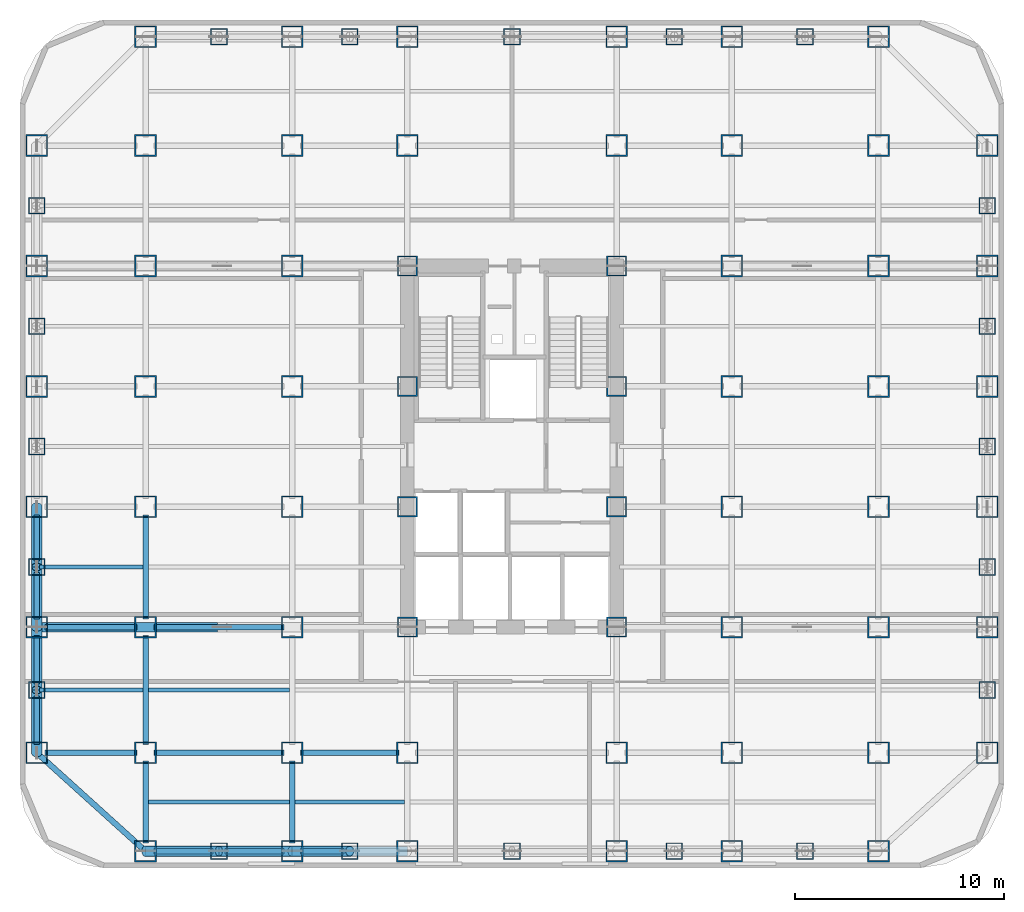
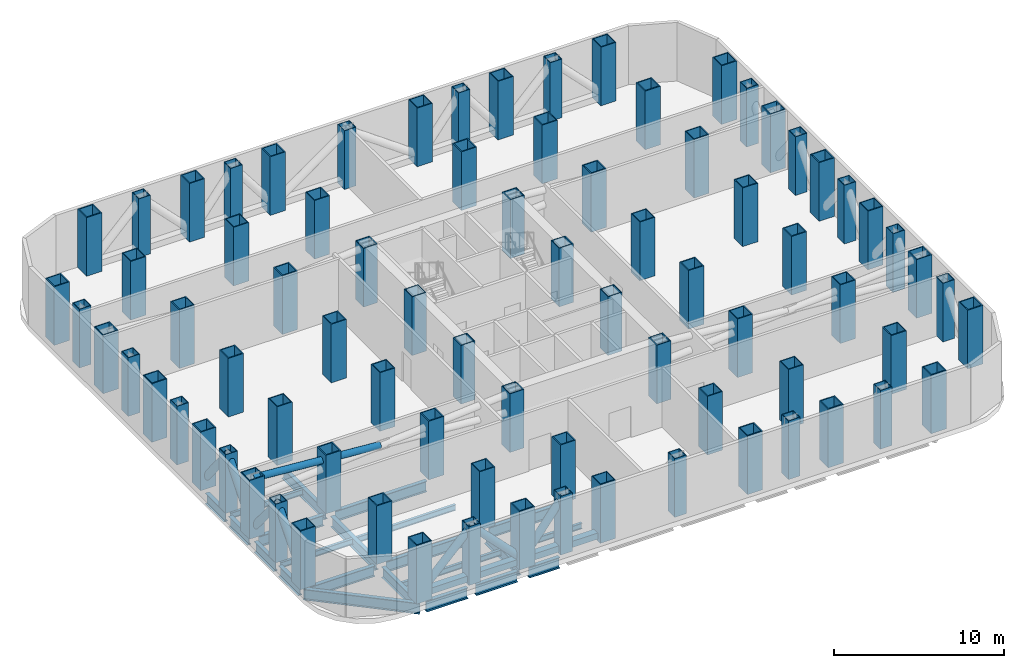
# One storey, part 1 of 10: 80 columns, 22 beams, 10 members.
"""IFC4 building model written with IfcOpenShell, lengths in metres."""

from ifc_helpers import new_model, si_unit, direction, frame, origin, origin_2d, place, context, subcontext, project, spatial, hollow_rectangle, hollow_circle, i_section, extrude, source, transform, mapped, material, material_profile, profile_set, type_object, element, save


model = new_model("IFC4")

# Units and contexts
model_context = context("Model", 3, precision=1e-05, world=origin(), true_north=direction((0.0, 1.0)))
body_context = subcontext(model_context, "Body", "Model", "MODEL_VIEW")
ifc_project = project(units=[si_unit("LENGTHUNIT", "METRE"), si_unit("AREAUNIT", "SQUARE_METRE"), si_unit("VOLUMEUNIT", "CUBIC_METRE"), si_unit("PLANEANGLEUNIT", "RADIAN"), si_unit("MASSUNIT", "GRAM", prefix="KILO")], contexts=[model_context])

# Site, building, storey
site_placement = place(None, origin())
site = spatial("IfcSite", under=ifc_project, at=site_placement, CompositionType="ELEMENT")
building_placement = place(site_placement, origin())
building = spatial("IfcBuilding", under=site, at=building_placement, Name="Kolveth Station Tower", CompositionType="ELEMENT")
storey_placement = place(building_placement, frame((0.0, 0.0, 76.5)))
storey = spatial("IfcBuildingStorey", under=building, at=storey_placement, Name="L20", CompositionType="ELEMENT", Elevation=76.5)

# Columns
ifc_material_1 = material(Name="Steel S460", Category="steel")
ifc_material_profile_1 = material_profile(ifc_material_1, hollow_rectangle(XDim=1.0400390625, YDim=1.0400390625, WallThickness=0.06494140625, at=origin_2d()), Name="BOX1040x1040x65")
ifc_profile_set_1 = profile_set([ifc_material_profile_1], Name="Steel S460")
column_type_1 = type_object("IfcColumnType", Name="Col_C2", PredefinedType="COLUMN", material=ifc_profile_set_1)
shared_shape_1 = source(origin(), body_context, "Body", "SweptSolid", [
    extrude(hollow_rectangle(XDim=1.0400390625, YDim=1.0400390625, WallThickness=0.06494140625, at=origin_2d()), origin(), (0.0, 0.0, 1.0), 4.219970703125),
])
for number, where, z_axis, x_axis, name in (
    (1, (6.0, 0.800048828125, 0.0), (0.0, 0.0, 1.0), (1.0, 0.0, 0.0), "L20 Tower Column S-X60"),
    (2, (6.0, 39.699951171875, 0.0), (0.0, 0.0, 1.0), (1.0, 0.0, 0.0), "L20 Tower Column N-X60"),
    (3, (13.0, 0.800048828125, 0.0), (0.0, 0.0, 1.0), (1.0, 0.0, 0.0), "L20 Tower Column S-X130"),
    (4, (13.0, 39.699951171875, 0.0), (0.0, 0.0, 1.0), (1.0, 0.0, 0.0), "L20 Tower Column N-X130"),
    (5, (18.5, 0.800048828125, 0.0), (0.0, 0.0, 1.0), (1.0, 0.0, 0.0), "L20 Tower Column S-X185"),
    (6, (18.5, 39.699951171875, 0.0), (0.0, 0.0, 1.0), (1.0, 0.0, 0.0), "L20 Tower Column N-X185"),
    (7, (28.5, 0.800048828125, 0.0), (0.0, 0.0, 1.0), (1.0, 0.0, 0.0), "L20 Tower Column S-X285"),
    (8, (28.5, 39.699951171875, 0.0), (0.0, 0.0, 1.0), (1.0, 0.0, 0.0), "L20 Tower Column N-X285"),
    (9, (34.0, 0.800048828125, 0.0), (0.0, 0.0, 1.0), (1.0, 0.0, 0.0), "L20 Tower Column S-X340"),
    (10, (34.0, 39.699951171875, 0.0), (0.0, 0.0, 1.0), (1.0, 0.0, 0.0), "L20 Tower Column N-X340"),
    (11, (41.0, 0.800048828125, 0.0), (0.0, 0.0, 1.0), (1.0, 0.0, 0.0), "L20 Tower Column S-X410"),
    (12, (41.0, 39.699951171875, 0.0), (0.0, 0.0, 1.0), (1.0, 0.0, 0.0), "L20 Tower Column N-X410"),
    (13, (0.800048828125, 5.5, 0.0), (0.0, 0.0, 1.0), (1.0, 0.0, 0.0), "L20 Tower Column W-Y55"),
    (14, (46.199951171875, 5.5, 0.0), (0.0, 0.0, 1.0), (1.0, 0.0, 0.0), "L20 Tower Column E-Y55"),
    (15, (0.800048828125, 11.5, 0.0), (0.0, 0.0, 1.0), (1.0, 0.0, 0.0), "L20 Tower Column W-Y115"),
    (16, (46.199951171875, 11.5, 0.0), (0.0, 0.0, 1.0), (1.0, 0.0, 0.0), "L20 Tower Column E-Y115"),
    (17, (0.800048828125, 17.25, 0.0), (0.0, 0.0, 1.0), (1.0, 0.0, 0.0), "L20 Tower Column W-Y172"),
    (18, (46.199951171875, 17.25, 0.0), (0.0, 0.0, 1.0), (1.0, 0.0, 0.0), "L20 Tower Column E-Y172"),
    (19, (0.800048828125, 23.0, 0.0), (0.0, 0.0, 1.0), (1.0, 0.0, 0.0), "L20 Tower Column W-Y230"),
    (20, (46.199951171875, 23.0, 0.0), (0.0, 0.0, 1.0), (1.0, 0.0, 0.0), "L20 Tower Column E-Y230"),
    (21, (0.800048828125, 28.75, 0.0), (0.0, 0.0, 1.0), (1.0, 0.0, 0.0), "L20 Tower Column W-Y287"),
    (22, (46.199951171875, 28.75, 0.0), (0.0, 0.0, 1.0), (1.0, 0.0, 0.0), "L20 Tower Column E-Y287"),
    (23, (0.800048828125, 34.5, 0.0), (0.0, 0.0, 1.0), (1.0, 0.0, 0.0), "L20 Tower Column W-Y345"),
    (24, (46.199951171875, 34.5, 0.0), (0.0, 0.0, 1.0), (1.0, 0.0, 0.0), "L20 Tower Column E-Y345"),
    (25, (6.0, 5.5, 0.0), (0.0, 0.0, 1.0), (1.0, 0.0, 0.0), "L20 Tower Column G-60-55"),
    (26, (6.0, 11.5, 0.0), (0.0, 0.0, 1.0), (1.0, 0.0, 0.0), "L20 Tower Column G-60-115"),
    (27, (6.0, 17.25, 0.0), (0.0, 0.0, 1.0), (1.0, 0.0, 0.0), "L20 Tower Column G-60-172"),
    (28, (6.0, 23.0, 0.0), (0.0, 0.0, 1.0), (1.0, 0.0, 0.0), "L20 Tower Column G-60-230"),
    (29, (6.0, 28.75, 0.0), (0.0, 0.0, 1.0), (1.0, 0.0, 0.0), "L20 Tower Column G-60-287"),
    (30, (6.0, 34.5, 0.0), (0.0, 0.0, 1.0), (1.0, 0.0, 0.0), "L20 Tower Column G-60-345"),
    (31, (13.0, 5.5, 0.0), (0.0, 0.0, 1.0), (1.0, 0.0, 0.0), "L20 Tower Column G-130-55"),
    (32, (13.0, 11.5, 0.0), (0.0, 0.0, 1.0), (1.0, 0.0, 0.0), "L20 Tower Column G-130-115"),
    (33, (13.0, 17.25, 0.0), (0.0, 0.0, 1.0), (1.0, 0.0, 0.0), "L20 Tower Column G-130-172"),
    (34, (13.0, 23.0, 0.0), (0.0, 0.0, 1.0), (1.0, 0.0, 0.0), "L20 Tower Column G-130-230"),
    (35, (13.0, 28.75, 0.0), (0.0, 0.0, 1.0), (1.0, 0.0, 0.0), "L20 Tower Column G-130-287"),
    (36, (13.0, 34.5, 0.0), (0.0, 0.0, 1.0), (1.0, 0.0, 0.0), "L20 Tower Column G-130-345"),
    (37, (18.5, 5.5, 0.0), (0.0, 0.0, 1.0), (1.0, 0.0, 0.0), "L20 Tower Column G-185-55"),
    (38, (18.5, 34.5, 0.0), (0.0, 0.0, 1.0), (1.0, 0.0, 0.0), "L20 Tower Column G-185-345"),
    (39, (28.5, 5.5, 0.0), (0.0, 0.0, 1.0), (1.0, 0.0, 0.0), "L20 Tower Column G-285-55"),
    (40, (28.5, 34.5, 0.0), (0.0, 0.0, 1.0), (1.0, 0.0, 0.0), "L20 Tower Column G-285-345"),
    (41, (34.0, 5.5, 0.0), (0.0, 0.0, 1.0), (1.0, 0.0, 0.0), "L20 Tower Column G-340-55"),
    (42, (34.0, 11.5, 0.0), (0.0, 0.0, 1.0), (1.0, 0.0, 0.0), "L20 Tower Column G-340-115"),
    (43, (34.0, 17.25, 0.0), (0.0, 0.0, 1.0), (1.0, 0.0, 0.0), "L20 Tower Column G-340-172"),
    (44, (34.0, 23.0, 0.0), (0.0, 0.0, 1.0), (1.0, 0.0, 0.0), "L20 Tower Column G-340-230"),
    (45, (34.0, 28.75, 0.0), (0.0, 0.0, 1.0), (1.0, 0.0, 0.0), "L20 Tower Column G-340-287"),
    (46, (34.0, 34.5, 0.0), (0.0, 0.0, 1.0), (1.0, 0.0, 0.0), "L20 Tower Column G-340-345"),
    (47, (41.0, 5.5, 0.0), (0.0, 0.0, 1.0), (1.0, 0.0, 0.0), "L20 Tower Column G-410-55"),
    (48, (41.0, 11.5, 0.0), (0.0, 0.0, 1.0), (1.0, 0.0, 0.0), "L20 Tower Column G-410-115"),
    (49, (41.0, 17.25, 0.0), (0.0, 0.0, 1.0), (1.0, 0.0, 0.0), "L20 Tower Column G-410-172"),
    (50, (41.0, 23.0, 0.0), (0.0, 0.0, 1.0), (1.0, 0.0, 0.0), "L20 Tower Column G-410-230"),
    (51, (41.0, 28.75, 0.0), (0.0, 0.0, 1.0), (1.0, 0.0, 0.0), "L20 Tower Column G-410-287"),
    (52, (41.0, 34.5, 0.0), (0.0, 0.0, 1.0), (1.0, 0.0, 0.0), "L20 Tower Column G-410-345"),
):
    element("IfcColumn", number, at=place(storey_placement, frame(where, z_axis=z_axis, x_axis=x_axis)), inside=storey, type_object=column_type_1, Name=name, PredefinedType="COLUMN", context=body_context, shape_type="MappedRepresentation", body=[
        mapped(shared_shape_1, transform((0.0, 0.0, 0.0), x_axis=(1.0, 0.0, 0.0), y_axis=(0.0, 1.0, 0.0), z_axis=(0.0, 0.0, 1.0), scale=1.0)),
    ])
ifc_material_profile_2 = material_profile(ifc_material_1, hollow_rectangle(XDim=0.9599609375, YDim=0.9599609375, WallThickness=0.06005859375, at=origin_2d()), Name="BOX960x960x60")
ifc_profile_set_2 = profile_set([ifc_material_profile_2], Name="Steel S460")
column_type_2 = type_object("IfcColumnType", Name="Col_C3", PredefinedType="COLUMN", material=ifc_profile_set_2)
shared_shape_2 = source(origin(), body_context, "Body", "SweptSolid", [
    extrude(hollow_rectangle(XDim=0.9599609375, YDim=0.9599609375, WallThickness=0.06005859375, at=origin_2d()), origin(), (0.0, 0.0, 1.0), 4.219970703125),
])
for number, where, z_axis, x_axis, name in (
    (53, (18.5, 11.5, 0.0), (0.0, 0.0, 1.0), (1.0, 0.0, 0.0), "L20 Tower Column G-185-115"),
    (54, (18.5, 17.25, 0.0), (0.0, 0.0, 1.0), (1.0, 0.0, 0.0), "L20 Tower Column G-185-172"),
    (55, (18.5, 23.0, 0.0), (0.0, 0.0, 1.0), (1.0, 0.0, 0.0), "L20 Tower Column G-185-230"),
    (56, (18.5, 28.75, 0.0), (0.0, 0.0, 1.0), (1.0, 0.0, 0.0), "L20 Tower Column G-185-287"),
    (57, (28.5, 11.5, 0.0), (0.0, 0.0, 1.0), (1.0, 0.0, 0.0), "L20 Tower Column G-285-115"),
    (58, (28.5, 17.25, 0.0), (0.0, 0.0, 1.0), (1.0, 0.0, 0.0), "L20 Tower Column G-285-172"),
    (59, (28.5, 23.0, 0.0), (0.0, 0.0, 1.0), (1.0, 0.0, 0.0), "L20 Tower Column G-285-230"),
    (60, (28.5, 28.75, 0.0), (0.0, 0.0, 1.0), (1.0, 0.0, 0.0), "L20 Tower Column G-285-287"),
):
    element("IfcColumn", number, at=place(storey_placement, frame(where, z_axis=z_axis, x_axis=x_axis)), inside=storey, type_object=column_type_2, Name=name, PredefinedType="COLUMN", context=body_context, shape_type="MappedRepresentation", body=[
        mapped(shared_shape_2, transform((0.0, 0.0, 0.0), x_axis=(1.0, 0.0, 0.0), y_axis=(0.0, 1.0, 0.0), z_axis=(0.0, 0.0, 1.0), scale=1.0)),
    ])
ifc_material_2 = material(Name="Steel S355", Category="steel")
ifc_material_profile_3 = material_profile(ifc_material_2, hollow_rectangle(XDim=0.800048828125, YDim=0.800048828125, WallThickness=0.044921875, at=origin_2d()), Name="BOX800x800x45")
ifc_profile_set_3 = profile_set([ifc_material_profile_3], Name="Steel S355")
column_type_3 = type_object("IfcColumnType", Name="Col_C5", PredefinedType="COLUMN", material=ifc_profile_set_3)
shared_shape_3 = source(origin(), body_context, "Body", "SweptSolid", [
    extrude(hollow_rectangle(XDim=0.800048828125, YDim=0.800048828125, WallThickness=0.044921875, at=origin_2d()), origin(), (0.0, 0.0, 1.0), 4.219970703125),
])
for number, where, z_axis, x_axis, name in (
    (61, (9.5, 0.800048828125, 0.0), (0.0, 0.0, 1.0), (1.0, 0.0, 0.0), "L20 Tower Column MS-X95"),
    (62, (9.5, 39.699951171875, 0.0), (0.0, 0.0, 1.0), (1.0, 0.0, 0.0), "L20 Tower Column MN-X95"),
    (63, (15.75, 0.800048828125, 0.0), (0.0, 0.0, 1.0), (1.0, 0.0, 0.0), "L20 Tower Column MS-X157"),
    (64, (15.75, 39.699951171875, 0.0), (0.0, 0.0, 1.0), (1.0, 0.0, 0.0), "L20 Tower Column MN-X157"),
    (65, (23.5, 0.800048828125, 0.0), (0.0, 0.0, 1.0), (1.0, 0.0, 0.0), "L20 Tower Column MS-X235"),
    (66, (23.5, 39.699951171875, 0.0), (0.0, 0.0, 1.0), (1.0, 0.0, 0.0), "L20 Tower Column MN-X235"),
    (67, (31.25, 0.800048828125, 0.0), (0.0, 0.0, 1.0), (1.0, 0.0, 0.0), "L20 Tower Column MS-X312"),
    (68, (31.25, 39.699951171875, 0.0), (0.0, 0.0, 1.0), (1.0, 0.0, 0.0), "L20 Tower Column MN-X312"),
    (69, (37.5, 0.800048828125, 0.0), (0.0, 0.0, 1.0), (1.0, 0.0, 0.0), "L20 Tower Column MS-X375"),
    (70, (37.5, 39.699951171875, 0.0), (0.0, 0.0, 1.0), (1.0, 0.0, 0.0), "L20 Tower Column MN-X375"),
    (71, (0.800048828125, 8.5, 0.0), (0.0, 0.0, 1.0), (1.0, 0.0, 0.0), "L20 Tower Column MW-Y85"),
    (72, (46.199951171875, 8.5, 0.0), (0.0, 0.0, 1.0), (1.0, 0.0, 0.0), "L20 Tower Column ME-Y85"),
    (73, (0.800048828125, 14.375, 0.0), (0.0, 0.0, 1.0), (1.0, 0.0, 0.0), "L20 Tower Column MW-Y143"),
    (74, (46.199951171875, 14.375, 0.0), (0.0, 0.0, 1.0), (1.0, 0.0, 0.0), "L20 Tower Column ME-Y143"),
    (75, (0.800048828125, 20.125, 0.0), (0.0, 0.0, 1.0), (1.0, 0.0, 0.0), "L20 Tower Column MW-Y201"),
    (76, (46.199951171875, 20.125, 0.0), (0.0, 0.0, 1.0), (1.0, 0.0, 0.0), "L20 Tower Column ME-Y201"),
    (77, (0.800048828125, 25.875, 0.0), (0.0, 0.0, 1.0), (1.0, 0.0, 0.0), "L20 Tower Column MW-Y258"),
    (78, (46.199951171875, 25.875, 0.0), (0.0, 0.0, 1.0), (1.0, 0.0, 0.0), "L20 Tower Column ME-Y258"),
    (79, (0.800048828125, 31.625, 0.0), (0.0, 0.0, 1.0), (1.0, 0.0, 0.0), "L20 Tower Column MW-Y316"),
    (80, (46.199951171875, 31.625, 0.0), (0.0, 0.0, 1.0), (1.0, 0.0, 0.0), "L20 Tower Column ME-Y316"),
):
    element("IfcColumn", number, at=place(storey_placement, frame(where, z_axis=z_axis, x_axis=x_axis)), inside=storey, type_object=column_type_3, Name=name, PredefinedType="COLUMN", context=body_context, shape_type="MappedRepresentation", body=[
        mapped(shared_shape_3, transform((0.0, 0.0, 0.0), x_axis=(1.0, 0.0, 0.0), y_axis=(0.0, 1.0, 0.0), z_axis=(0.0, 0.0, 1.0), scale=1.0)),
    ])

# Beams
ifc_material_profile_4 = material_profile(ifc_material_2, i_section(OverallWidth=0.26904296875, OverallDepth=0.77490234375, WebThickness=0.01708984375, FlangeThickness=0.0283203125, at=origin_2d()), Name="W760x220")
ifc_profile_set_4 = profile_set([ifc_material_profile_4], Name="Steel S355")
beam_type_1 = type_object("IfcBeamType", Name="Beam_SP1", PredefinedType="SPANDREL", material=ifc_profile_set_4)
shared_shape_4 = source(origin(), body_context, "Body", "SweptSolid", [
    extrude(i_section(OverallWidth=0.26904296875, OverallDepth=0.77490234375, WebThickness=0.01708984375, FlangeThickness=0.0283203125, at=origin_2d()), origin(), (0.0, 0.0, 1.0), 7.00927734375),
])
beam_1_placement = place(storey_placement, frame((0.800048828125, 5.5, -0.74755859375), z_axis=(0.741874009795, -0.670539300557, 0.0), x_axis=(0.670539300557, 0.741874009795, 0.0)))
element("IfcBeam", 81, at=beam_1_placement, inside=storey, type_object=beam_type_1, Name="L20 Corner Edge Girder BM-L20-CNR-SW", PredefinedType="SPANDREL", context=body_context, shape_type="MappedRepresentation", body=[
    mapped(shared_shape_4, transform((0.0, 0.0, 0.0), x_axis=(1.0, 0.0, 0.0), y_axis=(0.0, 1.0, 0.0), z_axis=(0.0, 0.0, 1.0), scale=1.0)),
])
shared_shape_5 = source(origin(), body_context, "Body", "SweptSolid", [
    extrude(i_section(OverallWidth=0.26904296875, OverallDepth=0.77490234375, WebThickness=0.01708984375, FlangeThickness=0.0283203125, at=origin_2d()), origin(), (0.0, 0.0, 1.0), 2.820068359375),
])
for number, where, z_axis, x_axis, name in (
    (82, (6.39990234375, 0.800048828125, -0.74755859375), (1.0, 0.0, 0.0), (0.0, 1.0, 0.0), "L20 Perimeter Spandrel BM-L20-PS-1"),
    (83, (9.780029296875, 0.800048828125, -0.74755859375), (1.0, 0.0, 0.0), (0.0, 1.0, 0.0), "L20 Perimeter Spandrel BM-L20-PS-2"),
):
    element("IfcBeam", number, at=place(storey_placement, frame(where, z_axis=z_axis, x_axis=x_axis)), inside=storey, type_object=beam_type_1, Name=name, PredefinedType="SPANDREL", context=body_context, shape_type="MappedRepresentation", body=[
        mapped(shared_shape_5, transform((0.0, 0.0, 0.0), x_axis=(1.0, 0.0, 0.0), y_axis=(0.0, 1.0, 0.0), z_axis=(0.0, 0.0, 1.0), scale=1.0)),
    ])
shared_shape_6 = source(origin(), body_context, "Body", "SweptSolid", [
    extrude(i_section(OverallWidth=0.26904296875, OverallDepth=0.77490234375, WebThickness=0.01708984375, FlangeThickness=0.0283203125, at=origin_2d()), origin(), (0.0, 0.0, 1.0), 2.070068359375),
])
beam_2_placement = place(storey_placement, frame((13.39990234375, 0.800048828125, -0.74755859375), z_axis=(1.0, 0.0, 0.0), x_axis=(0.0, 1.0, 0.0)))
element("IfcBeam", 84, at=beam_2_placement, inside=storey, type_object=beam_type_1, Name="L20 Perimeter Spandrel BM-L20-PS-3", PredefinedType="SPANDREL", context=body_context, shape_type="MappedRepresentation", body=[
    mapped(shared_shape_6, transform((0.0, 0.0, 0.0), x_axis=(1.0, 0.0, 0.0), y_axis=(0.0, 1.0, 0.0), z_axis=(0.0, 0.0, 1.0), scale=1.0)),
])
shared_shape_7 = source(origin(), body_context, "Body", "SweptSolid", [
    extrude(i_section(OverallWidth=0.26904296875, OverallDepth=0.77490234375, WebThickness=0.01708984375, FlangeThickness=0.0283203125, at=origin_2d()), origin(), (0.0, 0.0, 1.0), 2.320068359375),
])
for number, where, z_axis, x_axis, name in (
    (85, (0.800048828125, 5.89990234375, -0.74755859375), (0.0, 1.0, 0.0), (-1.0, 0.0, 0.0), "L20 Perimeter Spandrel BM-L20-PW-1"),
    (86, (0.800048828125, 8.780029296875, -0.74755859375), (0.0, 1.0, 0.0), (-1.0, 0.0, 0.0), "L20 Perimeter Spandrel BM-L20-PW-2"),
):
    element("IfcBeam", number, at=place(storey_placement, frame(where, z_axis=z_axis, x_axis=x_axis)), inside=storey, type_object=beam_type_1, Name=name, PredefinedType="SPANDREL", context=body_context, shape_type="MappedRepresentation", body=[
        mapped(shared_shape_7, transform((0.0, 0.0, 0.0), x_axis=(1.0, 0.0, 0.0), y_axis=(0.0, 1.0, 0.0), z_axis=(0.0, 0.0, 1.0), scale=1.0)),
    ])
shared_shape_8 = source(origin(), body_context, "Body", "SweptSolid", [
    extrude(i_section(OverallWidth=0.26904296875, OverallDepth=0.77490234375, WebThickness=0.01708984375, FlangeThickness=0.0283203125, at=origin_2d()), origin(), (0.0, 0.0, 1.0), 2.2001953125),
])
beam_3_placement = place(storey_placement, frame((0.800048828125, 11.89990234375, -0.74755859375), z_axis=(0.0, 1.0, 0.0), x_axis=(-1.0, 0.0, 0.0)))
element("IfcBeam", 87, at=beam_3_placement, inside=storey, type_object=beam_type_1, Name="L20 Perimeter Spandrel BM-L20-PW-3", PredefinedType="SPANDREL", context=body_context, shape_type="MappedRepresentation", body=[
    mapped(shared_shape_8, transform((0.0, 0.0, 0.0), x_axis=(1.0, 0.0, 0.0), y_axis=(0.0, 1.0, 0.0), z_axis=(0.0, 0.0, 1.0), scale=1.0)),
])
shared_shape_9 = source(origin(), body_context, "Body", "SweptSolid", [
    extrude(i_section(OverallWidth=0.26904296875, OverallDepth=0.77490234375, WebThickness=0.01708984375, FlangeThickness=0.0283203125, at=origin_2d()), origin(), (0.0, 0.0, 1.0), 2.190185546875),
])
beam_4_placement = place(storey_placement, frame((0.800048828125, 14.659912109375, -0.74755859375), z_axis=(0.0, 1.0, 0.0), x_axis=(-1.0, 0.0, 0.0)))
element("IfcBeam", 88, at=beam_4_placement, inside=storey, type_object=beam_type_1, Name="L20 Perimeter Spandrel BM-L20-PW-4", PredefinedType="SPANDREL", context=body_context, shape_type="MappedRepresentation", body=[
    mapped(shared_shape_9, transform((0.0, 0.0, 0.0), x_axis=(1.0, 0.0, 0.0), y_axis=(0.0, 1.0, 0.0), z_axis=(0.0, 0.0, 1.0), scale=1.0)),
])
ifc_material_profile_5 = material_profile(ifc_material_2, i_section(OverallWidth=0.26708984375, OverallDepth=0.76611328125, WebThickness=0.014892578125, FlangeThickness=0.023681640625, at=origin_2d()), Name="W760x185")
ifc_profile_set_5 = profile_set([ifc_material_profile_5], Name="Steel S355")
beam_type_2 = type_object("IfcBeamType", Name="Beam_B3", PredefinedType="BEAM", material=ifc_profile_set_5)
shared_shape_10 = source(origin(), body_context, "Body", "SweptSolid", [
    extrude(i_section(OverallWidth=0.26708984375, OverallDepth=0.76611328125, WebThickness=0.014892578125, FlangeThickness=0.023681640625, at=origin_2d()), origin(), (0.0, 0.0, 1.0), 4.400146484375),
])
for number, where, z_axis, x_axis, name in (
    (89, (1.199951171875, 5.5, -0.742919921875), (1.0, 0.0, 0.0), (0.0, 1.0, 0.0), "L20 Primary Girder BM-L20-GY55-1"),
    (90, (1.199951171875, 11.5, -0.742919921875), (1.0, 0.0, 0.0), (0.0, 1.0, 0.0), "L20 Primary Girder BM-L20-GY115-1"),
):
    element("IfcBeam", number, at=place(storey_placement, frame(where, z_axis=z_axis, x_axis=x_axis)), inside=storey, type_object=beam_type_2, Name=name, PredefinedType="BEAM", context=body_context, shape_type="MappedRepresentation", body=[
        mapped(shared_shape_10, transform((0.0, 0.0, 0.0), x_axis=(1.0, 0.0, 0.0), y_axis=(0.0, 1.0, 0.0), z_axis=(0.0, 0.0, 1.0), scale=1.0)),
    ])
shared_shape_11 = source(origin(), body_context, "Body", "SweptSolid", [
    extrude(i_section(OverallWidth=0.26708984375, OverallDepth=0.76611328125, WebThickness=0.014892578125, FlangeThickness=0.023681640625, at=origin_2d()), origin(), (0.0, 0.0, 1.0), 6.2001953125),
])
for number, where, z_axis, x_axis, name in (
    (91, (6.39990234375, 5.5, -0.742919921875), (1.0, 0.0, 0.0), (0.0, 1.0, 0.0), "L20 Primary Girder BM-L20-GY55-2"),
    (92, (6.39990234375, 11.5, -0.742919921875), (1.0, 0.0, 0.0), (0.0, 1.0, 0.0), "L20 Primary Girder BM-L20-GY115-2"),
):
    element("IfcBeam", number, at=place(storey_placement, frame(where, z_axis=z_axis, x_axis=x_axis)), inside=storey, type_object=beam_type_2, Name=name, PredefinedType="BEAM", context=body_context, shape_type="MappedRepresentation", body=[
        mapped(shared_shape_11, transform((0.0, 0.0, 0.0), x_axis=(1.0, 0.0, 0.0), y_axis=(0.0, 1.0, 0.0), z_axis=(0.0, 0.0, 1.0), scale=1.0)),
    ])
shared_shape_12 = source(origin(), body_context, "Body", "SweptSolid", [
    extrude(i_section(OverallWidth=0.26708984375, OverallDepth=0.76611328125, WebThickness=0.014892578125, FlangeThickness=0.023681640625, at=origin_2d()), origin(), (0.0, 0.0, 1.0), 4.7001953125),
])
beam_5_placement = place(storey_placement, frame((13.39990234375, 5.5, -0.742919921875), z_axis=(1.0, 0.0, 0.0), x_axis=(0.0, 1.0, 0.0)))
element("IfcBeam", 93, at=beam_5_placement, inside=storey, type_object=beam_type_2, Name="L20 Primary Girder BM-L20-GY55-3", PredefinedType="BEAM", context=body_context, shape_type="MappedRepresentation", body=[
    mapped(shared_shape_12, transform((0.0, 0.0, 0.0), x_axis=(1.0, 0.0, 0.0), y_axis=(0.0, 1.0, 0.0), z_axis=(0.0, 0.0, 1.0), scale=1.0)),
])
shared_shape_13 = source(origin(), body_context, "Body", "SweptSolid", [
    extrude(i_section(OverallWidth=0.26708984375, OverallDepth=0.76611328125, WebThickness=0.014892578125, FlangeThickness=0.023681640625, at=origin_2d()), origin(), (0.0, 0.0, 1.0), 3.900146484375),
])
for number, where, z_axis, x_axis, name in (
    (94, (6.0, 1.199951171875, -0.742919921875), (0.0, 1.0, 0.0), (-1.0, 0.0, 0.0), "L20 Primary Girder BM-L20-GX60-1"),
    (95, (13.0, 1.199951171875, -0.742919921875), (0.0, 1.0, 0.0), (-1.0, 0.0, 0.0), "L20 Primary Girder BM-L20-GX130-1"),
):
    element("IfcBeam", number, at=place(storey_placement, frame(where, z_axis=z_axis, x_axis=x_axis)), inside=storey, type_object=beam_type_2, Name=name, PredefinedType="BEAM", context=body_context, shape_type="MappedRepresentation", body=[
        mapped(shared_shape_13, transform((0.0, 0.0, 0.0), x_axis=(1.0, 0.0, 0.0), y_axis=(0.0, 1.0, 0.0), z_axis=(0.0, 0.0, 1.0), scale=1.0)),
    ])
shared_shape_14 = source(origin(), body_context, "Body", "SweptSolid", [
    extrude(i_section(OverallWidth=0.26708984375, OverallDepth=0.76611328125, WebThickness=0.014892578125, FlangeThickness=0.023681640625, at=origin_2d()), origin(), (0.0, 0.0, 1.0), 5.2001953125),
])
beam_6_placement = place(storey_placement, frame((6.0, 5.89990234375, -0.742919921875), z_axis=(0.0, 1.0, 0.0), x_axis=(-1.0, 0.0, 0.0)))
element("IfcBeam", 96, at=beam_6_placement, inside=storey, type_object=beam_type_2, Name="L20 Primary Girder BM-L20-GX60-2", PredefinedType="BEAM", context=body_context, shape_type="MappedRepresentation", body=[
    mapped(shared_shape_14, transform((0.0, 0.0, 0.0), x_axis=(1.0, 0.0, 0.0), y_axis=(0.0, 1.0, 0.0), z_axis=(0.0, 0.0, 1.0), scale=1.0)),
])
shared_shape_15 = source(origin(), body_context, "Body", "SweptSolid", [
    extrude(i_section(OverallWidth=0.26708984375, OverallDepth=0.76611328125, WebThickness=0.014892578125, FlangeThickness=0.023681640625, at=origin_2d()), origin(), (0.0, 0.0, 1.0), 4.9501953125),
])
beam_7_placement = place(storey_placement, frame((6.0, 11.89990234375, -0.742919921875), z_axis=(0.0, 1.0, 0.0), x_axis=(-1.0, 0.0, 0.0)))
element("IfcBeam", 97, at=beam_7_placement, inside=storey, type_object=beam_type_2, Name="L20 Primary Girder BM-L20-GX60-3", PredefinedType="BEAM", context=body_context, shape_type="MappedRepresentation", body=[
    mapped(shared_shape_15, transform((0.0, 0.0, 0.0), x_axis=(1.0, 0.0, 0.0), y_axis=(0.0, 1.0, 0.0), z_axis=(0.0, 0.0, 1.0), scale=1.0)),
])
ifc_material_profile_6 = material_profile(ifc_material_2, i_section(OverallWidth=0.177978515625, OverallDepth=0.406982421875, WebThickness=0.0078125, FlangeThickness=0.0126953125, at=origin_2d()), Name="W410x60")
ifc_profile_set_6 = profile_set([ifc_material_profile_6], Name="Steel S355")
beam_type_3 = type_object("IfcBeamType", Name="Beam_J1", PredefinedType="JOIST", material=ifc_profile_set_6)
shared_shape_16 = source(origin(), body_context, "Body", "SweptSolid", [
    extrude(i_section(OverallWidth=0.177978515625, OverallDepth=0.406982421875, WebThickness=0.0078125, FlangeThickness=0.0126953125, at=origin_2d()), origin(), (0.0, 0.0, 1.0), 4.935791015625),
])
for number, where, z_axis, x_axis, name in (
    (98, (0.9326171875, 8.5, -0.5634765625), (1.0, 0.0, 0.0), (0.0, 1.0, 0.0), "L20 Secondary Joist JST-L20-1-2"),
    (99, (0.9326171875, 14.375, -0.5634765625), (1.0, 0.0, 0.0), (0.0, 1.0, 0.0), "L20 Secondary Joist JST-L20-1-3"),
):
    element("IfcBeam", number, at=place(storey_placement, frame(where, z_axis=z_axis, x_axis=x_axis)), inside=storey, type_object=beam_type_3, Name=name, PredefinedType="JOIST", context=body_context, shape_type="MappedRepresentation", body=[
        mapped(shared_shape_16, transform((0.0, 0.0, 0.0), x_axis=(1.0, 0.0, 0.0), y_axis=(0.0, 1.0, 0.0), z_axis=(0.0, 0.0, 1.0), scale=1.0)),
    ])
shared_shape_17 = source(origin(), body_context, "Body", "SweptSolid", [
    extrude(i_section(OverallWidth=0.177978515625, OverallDepth=0.406982421875, WebThickness=0.0078125, FlangeThickness=0.0126953125, at=origin_2d()), origin(), (0.0, 0.0, 1.0), 6.73681640625),
])
for number, where, z_axis, x_axis, name in (
    (100, (6.131591796875, 3.14990234375, -0.5634765625), (1.0, 0.0, 0.0), (0.0, 1.0, 0.0), "L20 Secondary Joist JST-L20-2-1"),
    (101, (6.131591796875, 8.5, -0.5634765625), (1.0, 0.0, 0.0), (0.0, 1.0, 0.0), "L20 Secondary Joist JST-L20-2-2"),
):
    element("IfcBeam", number, at=place(storey_placement, frame(where, z_axis=z_axis, x_axis=x_axis)), inside=storey, type_object=beam_type_3, Name=name, PredefinedType="JOIST", context=body_context, shape_type="MappedRepresentation", body=[
        mapped(shared_shape_17, transform((0.0, 0.0, 0.0), x_axis=(1.0, 0.0, 0.0), y_axis=(0.0, 1.0, 0.0), z_axis=(0.0, 0.0, 1.0), scale=1.0)),
    ])
shared_shape_18 = source(origin(), body_context, "Body", "SweptSolid", [
    extrude(i_section(OverallWidth=0.177978515625, OverallDepth=0.406982421875, WebThickness=0.0078125, FlangeThickness=0.0126953125, at=origin_2d()), origin(), (0.0, 0.0, 1.0), 5.23681640625),
])
beam_8_placement = place(storey_placement, frame((13.131591796875, 3.14990234375, -0.5634765625), z_axis=(1.0, 0.0, 0.0), x_axis=(0.0, 1.0, 0.0)))
element("IfcBeam", 102, at=beam_8_placement, inside=storey, type_object=beam_type_3, Name="L20 Secondary Joist JST-L20-3-1", PredefinedType="JOIST", context=body_context, shape_type="MappedRepresentation", body=[
    mapped(shared_shape_18, transform((0.0, 0.0, 0.0), x_axis=(1.0, 0.0, 0.0), y_axis=(0.0, 1.0, 0.0), z_axis=(0.0, 0.0, 1.0), scale=1.0)),
])

# Members
ifc_material_profile_7 = material_profile(ifc_material_1, hollow_circle(Radius=0.25390625, WallThickness=0.02490234375, at=origin_2d()), Name="CHS508x25")
ifc_profile_set_7 = profile_set([ifc_material_profile_7], Name="Steel S460")
member_type_1 = type_object("IfcMemberType", Name="Mem_BR1", PredefinedType="BRACE", material=ifc_profile_set_7)
shared_shape_19 = source(origin(), body_context, "Body", "SweptSolid", [
    extrude(hollow_circle(Radius=0.25390625, WallThickness=0.02490234375, at=origin_2d()), origin(), (0.0, 0.0, 1.0), 4.999267578125),
])
for number, where, z_axis, x_axis, name in (
    (103, (6.0, 0.800048828125, 0.35009765625), (0.700088987627, 0.0, 0.71405560666), (0.0, 1.0, 0.0), "L20 Belt Truss Brace S1A"),
    (104, (13.0, 0.800048828125, 0.35009765625), (-0.700088987627, 0.0, 0.71405560666), (0.0, -1.0, 0.0), "L20 Belt Truss Brace S1B"),
):
    element("IfcMember", number, at=place(storey_placement, frame(where, z_axis=z_axis, x_axis=x_axis)), inside=storey, type_object=member_type_1, Name=name, PredefinedType="BRACE", context=body_context, shape_type="MappedRepresentation", body=[
        mapped(shared_shape_19, transform((0.0, 0.0, 0.0), x_axis=(1.0, 0.0, 0.0), y_axis=(0.0, 1.0, 0.0), z_axis=(0.0, 0.0, 1.0), scale=1.0)),
    ])
ifc_material_profile_8 = material_profile(ifc_material_1, hollow_rectangle(XDim=0.449951171875, YDim=0.449951171875, WallThickness=0.02490234375, at=origin_2d()), Name="HSS450x450x25")
ifc_profile_set_8 = profile_set([ifc_material_profile_8], Name="Steel S460")
member_type_2 = type_object("IfcMemberType", Name="Mem_CH1", PredefinedType="CHORD", material=ifc_profile_set_8)
shared_shape_20 = source(origin(), body_context, "Body", "SweptSolid", [
    extrude(hollow_rectangle(XDim=0.449951171875, YDim=0.449951171875, WallThickness=0.02490234375, at=origin_2d()), origin(), (0.0, 0.0, 1.0), 7.0),
])
member_1_placement = place(storey_placement, frame((6.0, 0.800048828125, 0.35009765625), z_axis=(1.0, 0.0, 0.0), x_axis=(0.0, 1.0, 0.0)))
element("IfcMember", 105, at=member_1_placement, inside=storey, type_object=member_type_2, Name="L20 Belt Truss Bottom Chord S1", PredefinedType="CHORD", context=body_context, shape_type="MappedRepresentation", body=[
    mapped(shared_shape_20, transform((0.0, 0.0, 0.0), x_axis=(1.0, 0.0, 0.0), y_axis=(0.0, 1.0, 0.0), z_axis=(0.0, 0.0, 1.0), scale=1.0)),
])
shared_shape_21 = source(origin(), body_context, "Body", "SweptSolid", [
    extrude(hollow_circle(Radius=0.25390625, WallThickness=0.02490234375, at=origin_2d()), origin(), (0.0, 0.0, 1.0), 4.50634765625),
])
member_2_placement = place(storey_placement, frame((13.0, 0.800048828125, 0.35009765625), z_axis=(0.610265688356, 0.0, 0.792196812424), x_axis=(0.0, 1.0, 0.0)))
element("IfcMember", 106, at=member_2_placement, inside=storey, type_object=member_type_1, Name="L20 Belt Truss Brace S2A", PredefinedType="BRACE", context=body_context, shape_type="MappedRepresentation", body=[
    mapped(shared_shape_21, transform((0.0, 0.0, 0.0), x_axis=(1.0, 0.0, 0.0), y_axis=(0.0, 1.0, 0.0), z_axis=(0.0, 0.0, 1.0), scale=1.0)),
])
shared_shape_22 = source(origin(), body_context, "Body", "SweptSolid", [
    extrude(hollow_rectangle(XDim=0.449951171875, YDim=0.449951171875, WallThickness=0.02490234375, at=origin_2d()), origin(), (0.0, 0.0, 1.0), 5.5),
])
member_3_placement = place(storey_placement, frame((13.0, 0.800048828125, 0.35009765625), z_axis=(1.0, 0.0, 0.0), x_axis=(0.0, 1.0, 0.0)))
element("IfcMember", 107, at=member_3_placement, inside=storey, type_object=member_type_2, Name="L20 Belt Truss Bottom Chord S2", PredefinedType="CHORD", context=body_context, shape_type="MappedRepresentation", body=[
    mapped(shared_shape_22, transform((0.0, 0.0, 0.0), x_axis=(1.0, 0.0, 0.0), y_axis=(0.0, 1.0, 0.0), z_axis=(0.0, 0.0, 1.0), scale=1.0)),
])
shared_shape_23 = source(origin(), body_context, "Body", "SweptSolid", [
    extrude(hollow_circle(Radius=0.25390625, WallThickness=0.02490234375, at=origin_2d()), origin(), (0.0, 0.0, 1.0), 4.6630859375),
])
for number, where, z_axis, x_axis, name in (
    (108, (0.800048828125, 5.5, 0.35009765625), (0.0, 0.643361518409, 0.765562509943), (-1.0, 0.0, 0.0), "L20 Belt Truss Brace W1A"),
    (109, (0.800048828125, 11.5, 0.35009765625), (0.0, -0.643361518409, 0.765562509943), (1.0, 0.0, 0.0), "L20 Belt Truss Brace W1B"),
):
    element("IfcMember", number, at=place(storey_placement, frame(where, z_axis=z_axis, x_axis=x_axis)), inside=storey, type_object=member_type_1, Name=name, PredefinedType="BRACE", context=body_context, shape_type="MappedRepresentation", body=[
        mapped(shared_shape_23, transform((0.0, 0.0, 0.0), x_axis=(1.0, 0.0, 0.0), y_axis=(0.0, 1.0, 0.0), z_axis=(0.0, 0.0, 1.0), scale=1.0)),
    ])
shared_shape_24 = source(origin(), body_context, "Body", "SweptSolid", [
    extrude(hollow_circle(Radius=0.25390625, WallThickness=0.02490234375, at=origin_2d()), origin(), (0.0, 0.0, 1.0), 4.58349609375),
])
for number, where, z_axis, x_axis, name in (
    (110, (0.800048828125, 11.5, 0.35009765625), (0.0, 0.627238010019, 0.778827630986), (-1.0, 0.0, 0.0), "L20 Belt Truss Brace W2A"),
    (111, (0.800048828125, 17.25, 0.35009765625), (0.0, -0.627238010019, 0.778827630986), (1.0, 0.0, 0.0), "L20 Belt Truss Brace W2B"),
):
    element("IfcMember", number, at=place(storey_placement, frame(where, z_axis=z_axis, x_axis=x_axis)), inside=storey, type_object=member_type_1, Name=name, PredefinedType="BRACE", context=body_context, shape_type="MappedRepresentation", body=[
        mapped(shared_shape_24, transform((0.0, 0.0, 0.0), x_axis=(1.0, 0.0, 0.0), y_axis=(0.0, 1.0, 0.0), z_axis=(0.0, 0.0, 1.0), scale=1.0)),
    ])
ifc_material_profile_9 = material_profile(ifc_material_1, hollow_circle(Radius=0.228515625, WallThickness=0.02197265625, at=origin_2d()), Name="CHS457x22")
ifc_profile_set_9 = profile_set([ifc_material_profile_9], Name="Steel S460")
member_type_3 = type_object("IfcMemberType", Name="Mem_BR2", PredefinedType="BRACE", material=ifc_profile_set_9)
shared_shape_25 = source(origin(), body_context, "Body", "SweptSolid", [
    extrude(hollow_circle(Radius=0.228515625, WallThickness=0.02197265625, at=origin_2d()), origin(), (0.0, 0.0, 1.0), 8.656494140625),
])
member_4_placement = place(storey_placement, frame((9.4306640625, 11.5, 3.251953125), z_axis=(-0.997018374851, 0.0, 0.077164500964), x_axis=(0.0, -1.0, 0.0)))
element("IfcMember", 112, at=member_4_placement, inside=storey, type_object=member_type_3, Name="L20 Outrigger Split Upper Diagonal 1B2", PredefinedType="BRACE", context=body_context, shape_type="MappedRepresentation", body=[
    mapped(shared_shape_25, transform((0.0, 0.0, 0.0), x_axis=(1.0, 0.0, 0.0), y_axis=(0.0, 1.0, 0.0), z_axis=(0.0, 0.0, 1.0), scale=1.0)),
])

save(model, "model.ifc")
